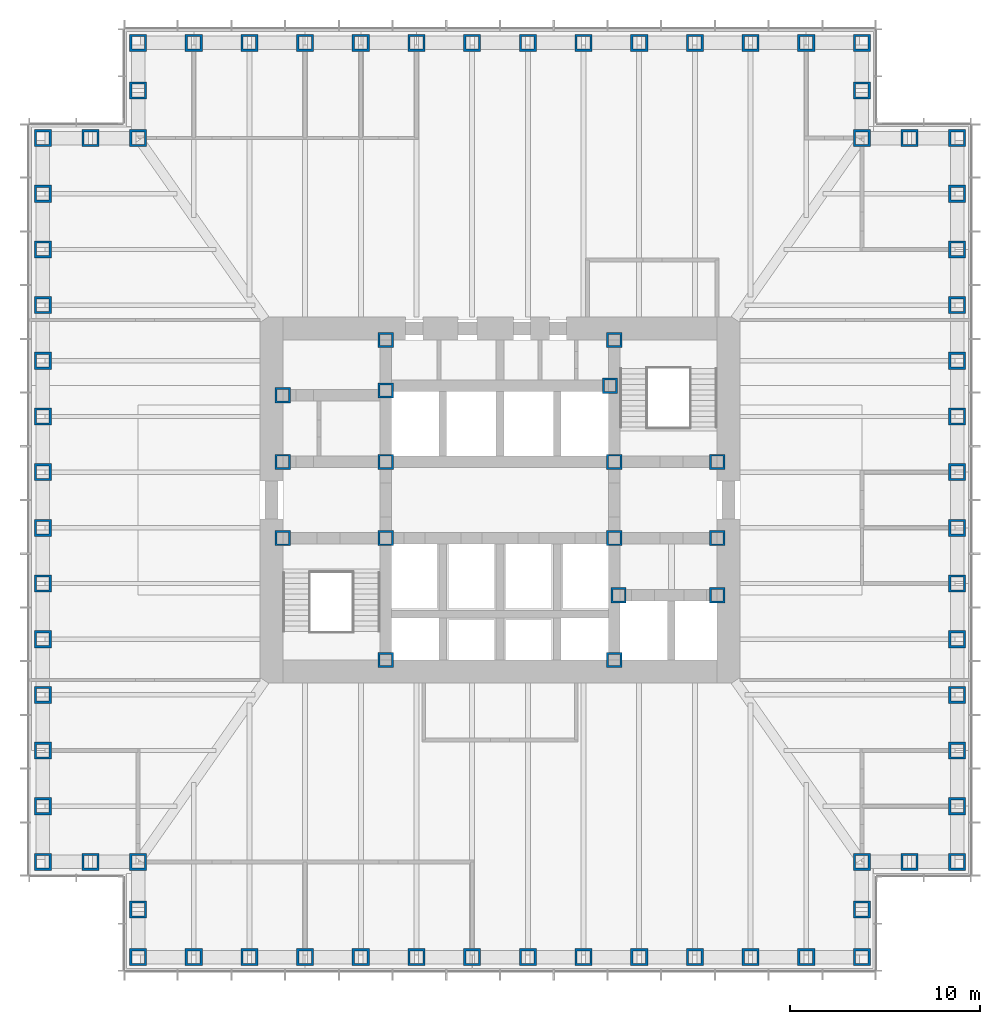
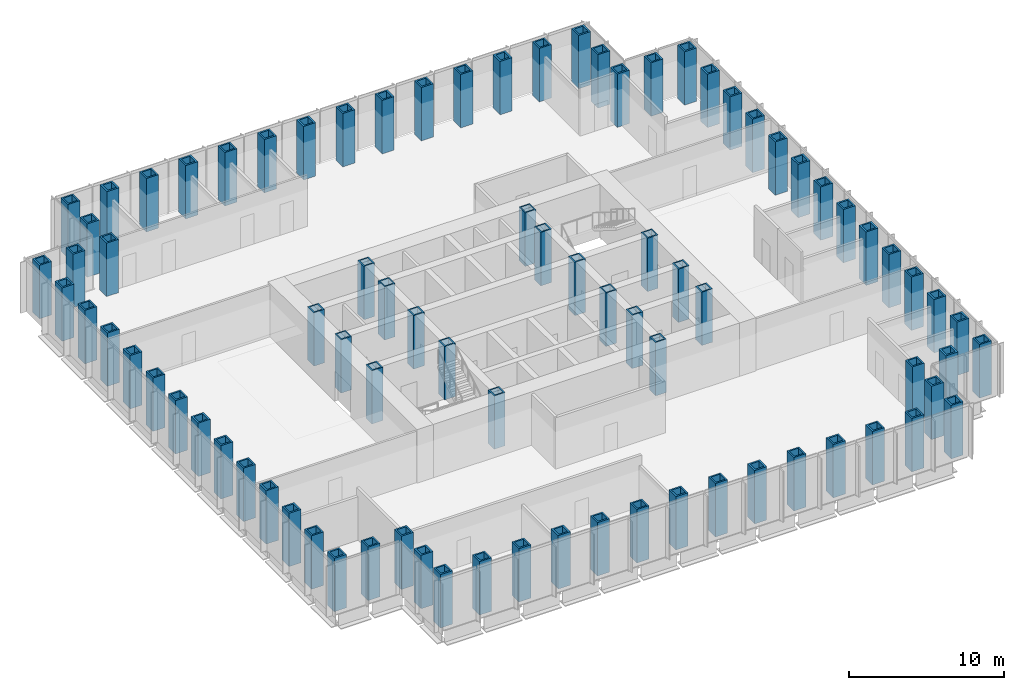
# One storey, part 1 of 16: 85 columns.
"""IFC4 building model written with IfcOpenShell, lengths in metres."""

from ifc_helpers import new_model, si_unit, direction, frame, origin, origin_2d, place, context, subcontext, project, spatial, hollow_rectangle, extrude, material, material_profile, profile_set, type_object, element, save


model = new_model("IFC4")

# Units and contexts
model_context = context("Model", 3, precision=1e-05, world=origin(), true_north=direction((0.0, 1.0)))
body_context = subcontext(model_context, "Body", "Model", "MODEL_VIEW")
ifc_project = project(units=[si_unit("LENGTHUNIT", "METRE"), si_unit("AREAUNIT", "SQUARE_METRE"), si_unit("VOLUMEUNIT", "CUBIC_METRE"), si_unit("PLANEANGLEUNIT", "RADIAN"), si_unit("MASSUNIT", "GRAM", prefix="KILO")], contexts=[model_context])

# Site, building, storey
site_placement = place(None, origin())
site = spatial("IfcSite", under=ifc_project, at=site_placement, CompositionType="ELEMENT")
building_placement = place(site_placement, origin())
building = spatial("IfcBuilding", under=site, at=building_placement, Name="Daluyong Arena Tower", CompositionType="ELEMENT")
storey_placement = place(building_placement, frame((0.0, 0.0, 64.300048828125)))
storey = spatial("IfcBuildingStorey", under=building, at=storey_placement, Name="L13", CompositionType="ELEMENT", Elevation=64.300048828125)

# Columns
ifc_material_1 = material(Name="Steel ASTM A572 Grade 50", Category="steel")
ifc_material_profile_1 = material_profile(ifc_material_1, hollow_rectangle(XDim=0.800048828125, YDim=0.800048828125, WallThickness=0.1, at=origin_2d()))
ifc_profile_set_1 = profile_set([ifc_material_profile_1], Name="Steel ASTM A572 Grade 50")
column_type_1 = type_object("IfcColumnType", Name="Core boundary column BX800X100", PredefinedType="COLUMN", material=ifc_profile_set_1)
for number, where, z_axis, x_axis, name in (
    (1, (44.60009765625, 78.0, 0.0), (0.0, 0.0, 1.0), (1.0, 0.0, 0.0), "core boundary column BC2"),
    (2, (44.60009765625, 82.0, 0.0), (0.0, 0.0, 1.0), (1.0, 0.0, 0.0), "core boundary column BC2"),
    (3, (44.60009765625, 85.5, 0.0), (0.0, 0.0, 1.0), (1.0, 0.0, 0.0), "core boundary column BC2"),
    (4, (50.0, 71.60009765625, 0.0), (0.0, 0.0, 1.0), (1.0, 0.0, 0.0), "core boundary column BC2"),
    (5, (50.0, 78.0, 0.0), (0.0, 0.0, 1.0), (1.0, 0.0, 0.0), "core boundary column BC2"),
    (6, (50.0, 82.0, 0.0), (0.0, 0.0, 1.0), (1.0, 0.0, 0.0), "core boundary column BC2"),
    (7, (50.0, 85.75, 0.0), (0.0, 0.0, 1.0), (1.0, 0.0, 0.0), "core boundary column BC2"),
    (8, (50.0, 88.39990234375, 0.0), (0.0, 0.0, 1.0), (1.0, 0.0, 0.0), "core boundary column BC2"),
    (9, (61.77490234375, 86.0, 0.0), (0.0, 0.0, 1.0), (1.0, 0.0, 0.0), "core boundary column BC2"),
    (10, (62.0, 71.60009765625, 0.0), (0.0, 0.0, 1.0), (1.0, 0.0, 0.0), "core boundary column BC2"),
    (11, (62.0, 78.0, 0.0), (0.0, 0.0, 1.0), (1.0, 0.0, 0.0), "core boundary column BC2"),
    (12, (62.0, 82.0, 0.0), (0.0, 0.0, 1.0), (1.0, 0.0, 0.0), "core boundary column BC2"),
    (13, (62.0, 88.39990234375, 0.0), (0.0, 0.0, 1.0), (1.0, 0.0, 0.0), "core boundary column BC2"),
    (14, (62.22509765625, 75.0, 0.0), (0.0, 0.0, 1.0), (1.0, 0.0, 0.0), "core boundary column BC2"),
    (15, (67.39990234375, 75.0, 0.0), (0.0, 0.0, 1.0), (1.0, 0.0, 0.0), "core boundary column BC2"),
    (16, (67.39990234375, 78.0, 0.0), (0.0, 0.0, 1.0), (1.0, 0.0, 0.0), "core boundary column BC2"),
    (17, (67.39990234375, 82.0, 0.0), (0.0, 0.0, 1.0), (1.0, 0.0, 0.0), "core boundary column BC2"),
):
    element("IfcColumn", number, at=place(storey_placement, frame(where, z_axis=z_axis, x_axis=x_axis)), inside=storey, type_object=column_type_1, Name=name, PredefinedType="COLUMN", context=body_context, shape_type="SweptSolid", body=[
        extrude(hollow_rectangle(XDim=0.800048828125, YDim=0.800048828125, WallThickness=0.1, at=origin_2d()), origin(), (0.0, 0.0, 1.0), 4.199951171875),
    ])
ifc_material_2 = material(Name="Steel ASTM A588 Grade 50", Category="steel")
ifc_material_profile_2 = material_profile(ifc_material_2, hollow_rectangle(XDim=0.89990234375, YDim=0.89990234375, WallThickness=0.12, at=origin_2d()))
ifc_profile_set_2 = profile_set([ifc_material_profile_2], Name="Steel ASTM A588 Grade 50")
column_type_2 = type_object("IfcColumnType", Name="Tube column BX900X120 BX900X120", PredefinedType="COLUMN", material=ifc_profile_set_2)
for number, where, z_axis, x_axis, name in (
    (18, (37.0, 56.0, 0.0), (0.0, 0.0, 1.0), (1.0, 0.0, 0.0), "tube column bx900x120 TC4"),
    (19, (39.923095703125, 56.0, 0.0), (0.0, 0.0, 1.0), (1.0, 0.0, 0.0), "tube column bx900x120 TC4"),
    (20, (42.84619140625, 56.0, 0.0), (0.0, 0.0, 1.0), (1.0, 0.0, 0.0), "tube column bx900x120 TC4"),
    (21, (45.769287109375, 56.0, 0.0), (0.0, 0.0, 1.0), (1.0, 0.0, 0.0), "tube column bx900x120 TC4"),
    (22, (48.6923828125, 56.0, 0.0), (0.0, 0.0, 1.0), (1.0, 0.0, 0.0), "tube column bx900x120 TC4"),
    (23, (51.615478515625, 56.0, 0.0), (0.0, 0.0, 1.0), (1.0, 0.0, 0.0), "tube column bx900x120 TC4"),
    (24, (54.53857421875, 56.0, 0.0), (0.0, 0.0, 1.0), (1.0, 0.0, 0.0), "tube column bx900x120 TC4"),
    (25, (57.46142578125, 56.0, 0.0), (0.0, 0.0, 1.0), (1.0, 0.0, 0.0), "tube column bx900x120 TC4"),
    (26, (60.384521484375, 56.0, 0.0), (0.0, 0.0, 1.0), (1.0, 0.0, 0.0), "tube column bx900x120 TC4"),
    (27, (63.3076171875, 56.0, 0.0), (0.0, 0.0, 1.0), (1.0, 0.0, 0.0), "tube column bx900x120 TC4"),
    (28, (66.230712890625, 56.0, 0.0), (0.0, 0.0, 1.0), (1.0, 0.0, 0.0), "tube column bx900x120 TC4"),
    (29, (69.15380859375, 56.0, 0.0), (0.0, 0.0, 1.0), (1.0, 0.0, 0.0), "tube column bx900x120 TC4"),
    (30, (72.076904296875, 56.0, 0.0), (0.0, 0.0, 1.0), (1.0, 0.0, 0.0), "tube column bx900x120 TC4"),
    (31, (75.0, 56.0, 0.0), (0.0, 0.0, 1.0), (0.0, 1.0, 0.0), "tube column bx900x120 TC4"),
    (32, (75.0, 58.5, 0.0), (0.0, 0.0, 1.0), (0.0, 1.0, 0.0), "tube column bx900x120 TC4"),
    (33, (75.0, 61.0, 0.0), (0.0, 0.0, 1.0), (1.0, 0.0, 0.0), "tube column bx900x120 TC4"),
    (34, (77.5, 61.0, 0.0), (0.0, 0.0, 1.0), (1.0, 0.0, 0.0), "tube column bx900x120 TC4"),
    (35, (80.0, 61.0, 0.0), (0.0, 0.0, 1.0), (0.0, 1.0, 0.0), "tube column bx900x120 TC4"),
    (36, (80.0, 63.923095703125, 0.0), (0.0, 0.0, 1.0), (0.0, 1.0, 0.0), "tube column bx900x120 TC4"),
    (37, (80.0, 66.84619140625, 0.0), (0.0, 0.0, 1.0), (0.0, 1.0, 0.0), "tube column bx900x120 TC4"),
    (38, (80.0, 69.769287109375, 0.0), (0.0, 0.0, 1.0), (0.0, 1.0, 0.0), "tube column bx900x120 TC4"),
    (39, (80.0, 72.6923828125, 0.0), (0.0, 0.0, 1.0), (0.0, 1.0, 0.0), "tube column bx900x120 TC4"),
    (40, (80.0, 75.615478515625, 0.0), (0.0, 0.0, 1.0), (0.0, 1.0, 0.0), "tube column bx900x120 TC4"),
    (41, (80.0, 78.53857421875, 0.0), (0.0, 0.0, 1.0), (0.0, 1.0, 0.0), "tube column bx900x120 TC4"),
    (42, (80.0, 81.46142578125, 0.0), (0.0, 0.0, 1.0), (0.0, 1.0, 0.0), "tube column bx900x120 TC4"),
    (43, (80.0, 84.384521484375, 0.0), (0.0, 0.0, 1.0), (0.0, 1.0, 0.0), "tube column bx900x120 TC4"),
    (44, (80.0, 87.3076171875, 0.0), (0.0, 0.0, 1.0), (0.0, 1.0, 0.0), "tube column bx900x120 TC4"),
    (45, (80.0, 90.230712890625, 0.0), (0.0, 0.0, 1.0), (0.0, 1.0, 0.0), "tube column bx900x120 TC4"),
    (46, (80.0, 93.15380859375, 0.0), (0.0, 0.0, 1.0), (0.0, 1.0, 0.0), "tube column bx900x120 TC4"),
    (47, (80.0, 96.076904296875, 0.0), (0.0, 0.0, 1.0), (0.0, 1.0, 0.0), "tube column bx900x120 TC4"),
    (48, (80.0, 99.0, 0.0), (0.0, 0.0, 1.0), (1.0, 0.0, 0.0), "tube column bx900x120 TC4"),
    (49, (77.5, 99.0, 0.0), (0.0, 0.0, 1.0), (1.0, 0.0, 0.0), "tube column bx900x120 TC4"),
    (50, (75.0, 99.0, 0.0), (0.0, 0.0, 1.0), (0.0, 1.0, 0.0), "tube column bx900x120 TC4"),
    (51, (75.0, 101.5, 0.0), (0.0, 0.0, 1.0), (0.0, 1.0, 0.0), "tube column bx900x120 TC4"),
    (52, (75.0, 104.0, 0.0), (0.0, 0.0, 1.0), (1.0, 0.0, 0.0), "tube column bx900x120 TC4"),
    (53, (72.076904296875, 104.0, 0.0), (0.0, 0.0, 1.0), (1.0, 0.0, 0.0), "tube column bx900x120 TC4"),
    (54, (69.15380859375, 104.0, 0.0), (0.0, 0.0, 1.0), (1.0, 0.0, 0.0), "tube column bx900x120 TC4"),
    (55, (66.230712890625, 104.0, 0.0), (0.0, 0.0, 1.0), (1.0, 0.0, 0.0), "tube column bx900x120 TC4"),
    (56, (63.3076171875, 104.0, 0.0), (0.0, 0.0, 1.0), (1.0, 0.0, 0.0), "tube column bx900x120 TC4"),
    (57, (60.384521484375, 104.0, 0.0), (0.0, 0.0, 1.0), (1.0, 0.0, 0.0), "tube column bx900x120 TC4"),
    (58, (57.46142578125, 104.0, 0.0), (0.0, 0.0, 1.0), (1.0, 0.0, 0.0), "tube column bx900x120 TC4"),
    (59, (54.53857421875, 104.0, 0.0), (0.0, 0.0, 1.0), (1.0, 0.0, 0.0), "tube column bx900x120 TC4"),
    (60, (51.615478515625, 104.0, 0.0), (0.0, 0.0, 1.0), (1.0, 0.0, 0.0), "tube column bx900x120 TC4"),
    (61, (48.6923828125, 104.0, 0.0), (0.0, 0.0, 1.0), (1.0, 0.0, 0.0), "tube column bx900x120 TC4"),
    (62, (45.769287109375, 104.0, 0.0), (0.0, 0.0, 1.0), (1.0, 0.0, 0.0), "tube column bx900x120 TC4"),
    (63, (42.84619140625, 104.0, 0.0), (0.0, 0.0, 1.0), (1.0, 0.0, 0.0), "tube column bx900x120 TC4"),
    (64, (39.923095703125, 104.0, 0.0), (0.0, 0.0, 1.0), (1.0, 0.0, 0.0), "tube column bx900x120 TC4"),
    (65, (37.0, 104.0, 0.0), (0.0, 0.0, 1.0), (0.0, 1.0, 0.0), "tube column bx900x120 TC4"),
    (66, (37.0, 101.5, 0.0), (0.0, 0.0, 1.0), (0.0, 1.0, 0.0), "tube column bx900x120 TC4"),
    (67, (37.0, 99.0, 0.0), (0.0, 0.0, 1.0), (1.0, 0.0, 0.0), "tube column bx900x120 TC4"),
    (68, (34.5, 99.0, 0.0), (0.0, 0.0, 1.0), (1.0, 0.0, 0.0), "tube column bx900x120 TC4"),
    (69, (32.0, 99.0, 0.0), (0.0, 0.0, 1.0), (0.0, 1.0, 0.0), "tube column bx900x120 TC4"),
    (70, (32.0, 96.076904296875, 0.0), (0.0, 0.0, 1.0), (0.0, 1.0, 0.0), "tube column bx900x120 TC4"),
    (71, (32.0, 93.15380859375, 0.0), (0.0, 0.0, 1.0), (0.0, 1.0, 0.0), "tube column bx900x120 TC4"),
    (72, (32.0, 90.230712890625, 0.0), (0.0, 0.0, 1.0), (0.0, 1.0, 0.0), "tube column bx900x120 TC4"),
    (73, (32.0, 87.3076171875, 0.0), (0.0, 0.0, 1.0), (0.0, 1.0, 0.0), "tube column bx900x120 TC4"),
    (74, (32.0, 84.384521484375, 0.0), (0.0, 0.0, 1.0), (0.0, 1.0, 0.0), "tube column bx900x120 TC4"),
    (75, (32.0, 81.46142578125, 0.0), (0.0, 0.0, 1.0), (0.0, 1.0, 0.0), "tube column bx900x120 TC4"),
    (76, (32.0, 78.53857421875, 0.0), (0.0, 0.0, 1.0), (0.0, 1.0, 0.0), "tube column bx900x120 TC4"),
    (77, (32.0, 75.615478515625, 0.0), (0.0, 0.0, 1.0), (0.0, 1.0, 0.0), "tube column bx900x120 TC4"),
    (78, (32.0, 72.6923828125, 0.0), (0.0, 0.0, 1.0), (0.0, 1.0, 0.0), "tube column bx900x120 TC4"),
    (79, (32.0, 69.769287109375, 0.0), (0.0, 0.0, 1.0), (0.0, 1.0, 0.0), "tube column bx900x120 TC4"),
    (80, (32.0, 66.84619140625, 0.0), (0.0, 0.0, 1.0), (0.0, 1.0, 0.0), "tube column bx900x120 TC4"),
    (81, (32.0, 63.923095703125, 0.0), (0.0, 0.0, 1.0), (0.0, 1.0, 0.0), "tube column bx900x120 TC4"),
    (82, (32.0, 61.0, 0.0), (0.0, 0.0, 1.0), (1.0, 0.0, 0.0), "tube column bx900x120 TC4"),
    (83, (34.5, 61.0, 0.0), (0.0, 0.0, 1.0), (1.0, 0.0, 0.0), "tube column bx900x120 TC4"),
    (84, (37.0, 61.0, 0.0), (0.0, 0.0, 1.0), (0.0, 1.0, 0.0), "tube column bx900x120 TC4"),
    (85, (37.0, 58.5, 0.0), (0.0, 0.0, 1.0), (0.0, 1.0, 0.0), "tube column bx900x120 TC4"),
):
    element("IfcColumn", number, at=place(storey_placement, frame(where, z_axis=z_axis, x_axis=x_axis)), inside=storey, type_object=column_type_2, Name=name, PredefinedType="COLUMN", context=body_context, shape_type="SweptSolid", body=[
        extrude(hollow_rectangle(XDim=0.89990234375, YDim=0.89990234375, WallThickness=0.12, at=origin_2d()), origin(), (0.0, 0.0, 1.0), 4.199951171875),
    ])

save(model, "model.ifc")
